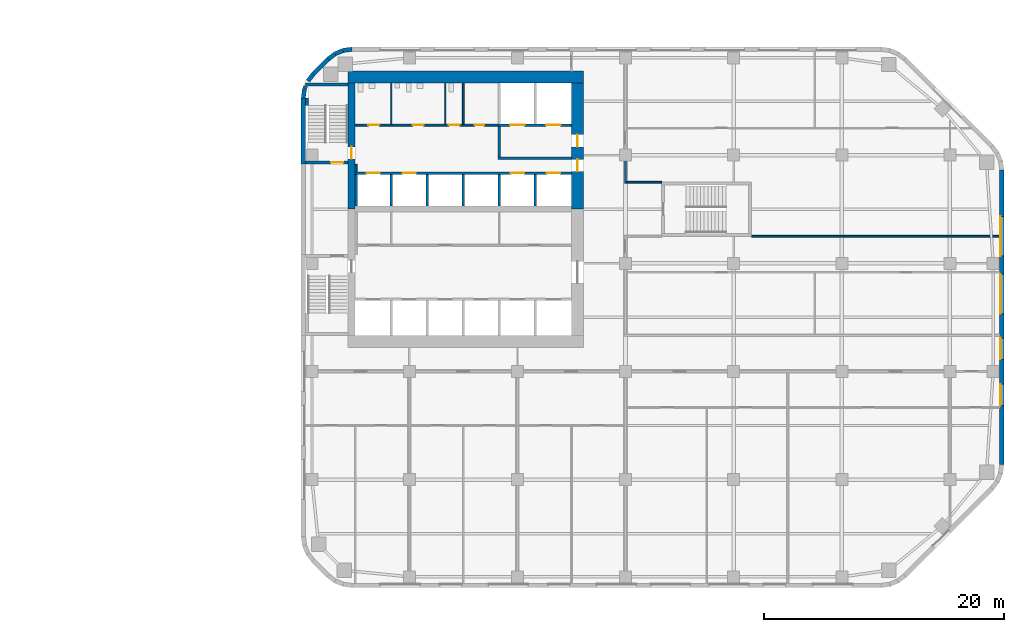
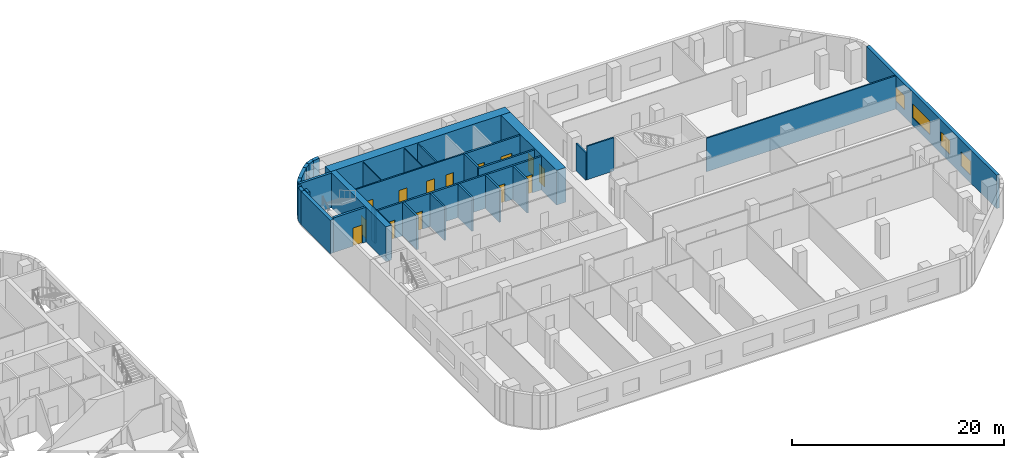
# One storey, part 11 of 16: 33 walls, 14 doors, 4 windows, 18 openings.
"""IFC4 building model written with IfcOpenShell, lengths in metres."""

from ifc_helpers import new_model, si_unit, direction, frame, frame_2d, origin, place, context, subcontext, project, spatial, rectangle, extrude, material, layer, layer_set, type_object, element, fill, save


model = new_model("IFC4")

# Units and contexts
model_context = context("Model", 3, precision=1e-05, world=origin(), true_north=direction((0.0, 1.0)))
body_context = subcontext(model_context, "Body", "Model", "MODEL_VIEW")
ifc_project = project(units=[si_unit("LENGTHUNIT", "METRE"), si_unit("AREAUNIT", "SQUARE_METRE"), si_unit("VOLUMEUNIT", "CUBIC_METRE"), si_unit("PLANEANGLEUNIT", "RADIAN"), si_unit("MASSUNIT", "GRAM", prefix="KILO")], contexts=[model_context])

# Site, building, storey
site_placement = place(None, origin())
site = spatial("IfcSite", under=ifc_project, at=site_placement, CompositionType="ELEMENT")
building_placement = place(site_placement, origin())
building = spatial("IfcBuilding", under=site, at=building_placement, Name="Cinnabar Reach Civic Tower", CompositionType="ELEMENT")
storey_placement = place(building_placement, frame((0.0, 0.0, 83.0)))
storey = spatial("IfcBuildingStorey", under=building, at=storey_placement, Name="L19", CompositionType="ELEMENT", Elevation=83.0)

# Walls
ifc_material_1 = material(Name="Facing brick with insulated backing", Category="masonry")
ifc_layer_1 = layer(ifc_material_1, 0.36)
ifc_layer_set_1 = layer_set([ifc_layer_1], Name="Brick corner wall")
wall_type_1 = type_object("IfcWallType", Name="Brick corner wall", PredefinedType="STANDARD", material=ifc_layer_set_1)
for number, where, z_axis, x_axis, name in (
    (1, (4.2314, 44.817, 0.0), (0.0, 0.0, 1.0), (-0.99144092581, -0.13055608231, 0.0), "Brick corner wall"),
    (2, (3.5027, 44.7181, 0.0), (0.0, 0.0, 1.0), (-0.923871547278, -0.382702709855, 0.0), "Brick corner wall"),
):
    element("IfcWall", number, at=place(storey_placement, frame(where, z_axis=z_axis, x_axis=x_axis)), inside=storey, type_object=wall_type_1, Name=name, PredefinedType="STANDARD", context=body_context, shape_type="SweptSolid", body=[
        extrude(rectangle(XDim=0.7131, YDim=0.36, at=frame_2d((0.3565, 0.0))), origin(), (0.0, 0.0, 1.0), 3.85),
    ])
for number, where, z_axis, x_axis, name in (
    (3, (2.8245, 44.434, 0.0), (0.0, 0.0, 1.0), (-0.793321924995, -0.608802368033, 0.0), "Brick corner wall"),
    (4, (1.0002, 42.7413, 0.0), (0.0, 0.0, 1.0), (-0.608802368033, -0.793321924995, 0.0), "Brick corner wall"),
):
    element("IfcWall", number, at=place(storey_placement, frame(where, z_axis=z_axis, x_axis=x_axis)), inside=storey, type_object=wall_type_1, Name=name, PredefinedType="STANDARD", context=body_context, shape_type="SweptSolid", body=[
        extrude(rectangle(XDim=0.7132, YDim=0.36, at=frame_2d((0.3566, 0.0))), origin(), (0.0, 0.0, 1.0), 3.85),
    ])
wall_1_placement = place(storey_placement, frame((0.3808, 41.736, 0.0), z_axis=(0.0, 0.0, 1.0), x_axis=(-0.382773360986, -0.923842277729, 0.0)))
element("IfcWall", 5, at=wall_1_placement, inside=storey, type_object=wall_type_1, Name="Brick corner wall", PredefinedType="STANDARD", context=body_context, shape_type="SweptSolid", body=[
    extrude(rectangle(XDim=0.2584, YDim=0.36, at=frame_2d((0.1292, 0.0))), origin(), (0.0, 0.0, 1.0), 3.85),
])
wall_2_placement = place(storey_placement, frame((0.2761, 41.4756, 0.0), z_axis=(0.0, 0.0, 1.0), x_axis=(-0.13055608231, -0.99144092581, 0.0)))
element("IfcWall", 6, at=wall_2_placement, inside=storey, type_object=wall_type_1, Name="Brick corner wall", PredefinedType="STANDARD", context=body_context, shape_type="SweptSolid", body=[
    extrude(rectangle(XDim=0.7131, YDim=0.36, at=frame_2d((0.3565, 0.0))), origin(), (0.0, 0.0, 1.0), 3.85),
])

# Wall, openings, windows
ifc_layer_2 = layer(ifc_material_1, 0.36)
ifc_layer_set_2 = layer_set([ifc_layer_2], Name="Brick pier and spandrel wall")
wall_type_2 = type_object("IfcWallType", Name="Brick pier and spandrel wall", PredefinedType="STANDARD", material=ifc_layer_set_2)
wall_3_placement = place(storey_placement, frame((58.32, 10.2426, 0.0), z_axis=(0.0, 0.0, 1.0), x_axis=(0.0, 1.0, 0.0)))
wall_3 = element("IfcWall", 7, at=wall_3_placement, inside=storey, type_object=wall_type_2, Name="Brick facade wall", PredefinedType="STANDARD", context=body_context, shape_type="SweptSolid", body=[
    extrude(rectangle(XDim=24.5148, YDim=0.36, at=frame_2d((12.2574, 0.0))), origin(), (0.0, 0.0, 1.0), 3.85),
])
opening_1_placement = place(wall_3_placement, frame((4.9074, 0.0, 0.9)))
opening_1 = element("IfcOpeningElement", 8, at=opening_1_placement, cuts=wall_3, Name="Opening W1385", PredefinedType="OPENING", context=body_context, shape_type="SweptSolid", body=[
    extrude(rectangle(XDim=1.8, YDim=1.6, at=frame_2d((0.9, 0.8))), frame((0.0, 0.19, 0.0), z_axis=(0.0, -1.0, 0.0), x_axis=(1.0, 0.0, 0.0)), (0.0, 0.0, 1.0), 0.38),
])
opening_2_placement = place(wall_3_placement, frame((8.7574, 0.0, 0.9)))
opening_2 = element("IfcOpeningElement", 9, at=opening_2_placement, cuts=wall_3, Name="Opening W1386", PredefinedType="OPENING", context=body_context, shape_type="SweptSolid", body=[
    extrude(rectangle(XDim=1.8, YDim=1.6, at=frame_2d((0.9, 0.8))), frame((0.0, 0.19, 0.0), z_axis=(0.0, -1.0, 0.0), x_axis=(1.0, 0.0, 0.0)), (0.0, 0.0, 1.0), 0.38),
])
opening_3_placement = place(wall_3_placement, frame((12.5574, 0.0, 0.9)))
opening_3 = element("IfcOpeningElement", 10, at=opening_3_placement, cuts=wall_3, Name="Opening W1387", PredefinedType="OPENING", context=body_context, shape_type="SweptSolid", body=[
    extrude(rectangle(XDim=3.3, YDim=1.6, at=frame_2d((1.65, 0.8))), frame((0.0, 0.19, 0.0), z_axis=(0.0, -1.0, 0.0), x_axis=(1.0, 0.0, 0.0)), (0.0, 0.0, 1.0), 0.38),
])
opening_4_placement = place(wall_3_placement, frame((17.3574, 0.0, 0.9)))
opening_4 = element("IfcOpeningElement", 11, at=opening_4_placement, cuts=wall_3, Name="Opening W1388", PredefinedType="OPENING", context=body_context, shape_type="SweptSolid", body=[
    extrude(rectangle(XDim=3.3, YDim=1.6, at=frame_2d((1.65, 0.8))), frame((0.0, 0.19, 0.0), z_axis=(0.0, -1.0, 0.0), x_axis=(1.0, 0.0, 0.0)), (0.0, 0.0, 1.0), 0.38),
])
ifc_material_2 = material(Name="Clear double glazing in aluminium frame", Category="aluminium")
window_type_1 = type_object("IfcWindowType", Name="Deep-set window A", PartitioningType="SINGLE_PANEL", PredefinedType="WINDOW", material=ifc_material_2)
window_1_placement = place(opening_3_placement, origin())
window_1 = element("IfcWindow", 12, at=window_1_placement, inside=storey, type_object=window_type_1, Name="Window east face", OverallHeight=1.6, OverallWidth=3.3, PartitioningType="SINGLE_PANEL", PredefinedType="WINDOW", context=body_context, shape_type="SweptSolid", body=[
    extrude(rectangle(XDim=3.3, YDim=1.6, at=frame_2d((1.65, 0.8))), frame((0.0, 0.13, 0.0), z_axis=(0.0, -1.0, 0.0), x_axis=(1.0, 0.0, 0.0)), (0.0, 0.0, 1.0), 0.06),
])
fill(opening_3, window_1)
window_2_placement = place(opening_4_placement, origin())
window_2 = element("IfcWindow", 13, at=window_2_placement, inside=storey, type_object=window_type_1, Name="Window east face", OverallHeight=1.6, OverallWidth=3.3, PartitioningType="SINGLE_PANEL", PredefinedType="WINDOW", context=body_context, shape_type="SweptSolid", body=[
    extrude(rectangle(XDim=3.3, YDim=1.6, at=frame_2d((1.65, 0.8))), frame((0.0, 0.13, 0.0), z_axis=(0.0, -1.0, 0.0), x_axis=(1.0, 0.0, 0.0)), (0.0, 0.0, 1.0), 0.06),
])
fill(opening_4, window_2)
window_type_2 = type_object("IfcWindowType", Name="Deep-set window D", PartitioningType="SINGLE_PANEL", PredefinedType="WINDOW", material=ifc_material_2)
window_3_placement = place(opening_1_placement, origin())
window_3 = element("IfcWindow", 14, at=window_3_placement, inside=storey, type_object=window_type_2, Name="Window east face", OverallHeight=1.6, OverallWidth=1.8, PartitioningType="SINGLE_PANEL", PredefinedType="WINDOW", context=body_context, shape_type="SweptSolid", body=[
    extrude(rectangle(XDim=1.8, YDim=1.6, at=frame_2d((0.9, 0.8))), frame((0.0, 0.13, 0.0), z_axis=(0.0, -1.0, 0.0), x_axis=(1.0, 0.0, 0.0)), (0.0, 0.0, 1.0), 0.06),
])
fill(opening_1, window_3)
window_4_placement = place(opening_2_placement, origin())
window_4 = element("IfcWindow", 15, at=window_4_placement, inside=storey, type_object=window_type_2, Name="Window east face", OverallHeight=1.6, OverallWidth=1.8, PartitioningType="SINGLE_PANEL", PredefinedType="WINDOW", context=body_context, shape_type="SweptSolid", body=[
    extrude(rectangle(XDim=1.8, YDim=1.6, at=frame_2d((0.9, 0.8))), frame((0.0, 0.13, 0.0), z_axis=(0.0, -1.0, 0.0), x_axis=(1.0, 0.0, 0.0)), (0.0, 0.0, 1.0), 0.06),
])
fill(opening_2, window_4)

# Walls
wall_4_placement = place(storey_placement, frame((2.2486, 43.994, 0.0), z_axis=(0.0, 0.0, 1.0), x_axis=(-0.707106781187, -0.707106781187, 0.0)))
element("IfcWall", 16, at=wall_4_placement, inside=storey, type_object=wall_type_2, Name="Brick facade wall", PredefinedType="STANDARD", context=body_context, shape_type="SweptSolid", body=[
    extrude(rectangle(XDim=1.7573, YDim=0.36, at=frame_2d((0.8787, 0.0))), origin(), (0.0, 0.0, 1.0), 3.85),
])
wall_5_placement = place(storey_placement, frame((0.18, 40.7574, 0.0), z_axis=(0.0, 0.0, 1.0), x_axis=(0.0, -1.0, 0.0)))
element("IfcWall", 17, at=wall_5_placement, inside=storey, type_object=wall_type_2, Name="Brick facade wall", PredefinedType="STANDARD", context=body_context, shape_type="SweptSolid", body=[
    extrude(rectangle(XDim=5.5074, YDim=0.36, at=frame_2d((2.7537, 0.0))), origin(), (0.0, 0.0, 1.0), 3.85),
])
ifc_material_3 = material(Name="Concrete C70", Category="concrete")
ifc_layer_3 = layer(ifc_material_3, 1.0)
ifc_layer_set_3 = layer_set([ifc_layer_3], Name="Core wall 1000 EI 180")
wall_type_3 = type_object("IfcWallType", Name="Core wall 1000 EI 180", PredefinedType="SOLIDWALL", material=ifc_layer_set_3)
wall_6_placement = place(storey_placement, frame((23.5, 42.5, 0.0), z_axis=(0.0, 0.0, 1.0), x_axis=(-1.0, 0.0, 0.0)))
element("IfcWall", 18, at=wall_6_placement, inside=storey, type_object=wall_type_3, Name="Core wall T1 L19 N", PredefinedType="SOLIDWALL", context=body_context, shape_type="SweptSolid", body=[
    extrude(rectangle(XDim=19.6, YDim=1.0, at=frame_2d((9.8, 0.0))), origin(), (0.0, 0.0, 1.0), 4.0),
])

# Wall, openings, doors
wall_7_placement = place(storey_placement, frame((23.0, 31.5, 0.0), z_axis=(0.0, 0.0, 1.0), x_axis=(0.0, 1.0, 0.0)))
wall_7 = element("IfcWall", 19, at=wall_7_placement, inside=storey, type_object=wall_type_3, Name="Core wall T1 L19 E2", PredefinedType="SOLIDWALL", context=body_context, shape_type="SweptSolid", body=[
    extrude(rectangle(XDim=10.5, YDim=1.0, at=frame_2d((5.25, 0.0))), origin(), (0.0, 0.0, 1.0), 4.0),
])
opening_5_placement = place(wall_7_placement, frame((3.15, 0.0, 0.0)))
opening_5 = element("IfcOpeningElement", 20, at=opening_5_placement, cuts=wall_7, Name="Opening D3769", PredefinedType="OPENING", context=body_context, shape_type="SweptSolid", body=[
    extrude(rectangle(XDim=1.0, YDim=2.1, at=frame_2d((0.5, 1.05))), frame((0.0, 0.51, 0.0), z_axis=(0.0, -1.0, 0.0), x_axis=(1.0, 0.0, 0.0)), (0.0, 0.0, 1.0), 1.02),
])
opening_6_placement = place(wall_7_placement, frame((5.2, 0.0, 0.0)))
opening_6 = element("IfcOpeningElement", 21, at=opening_6_placement, cuts=wall_7, Name="Opening D3770", PredefinedType="OPENING", context=body_context, shape_type="SweptSolid", body=[
    extrude(rectangle(XDim=1.0, YDim=2.1, at=frame_2d((0.5, 1.05))), frame((0.0, 0.51, 0.0), z_axis=(0.0, -1.0, 0.0), x_axis=(1.0, 0.0, 0.0)), (0.0, 0.0, 1.0), 1.02),
])
ifc_material_4 = material(Name="Timber door leaf in steel frame", Category="steel")
door_type_1 = type_object("IfcDoorType", Name="Firefighting lobby door 1000 x 2100 T1", OperationType="SINGLE_SWING_LEFT", PredefinedType="DOOR", material=ifc_material_4)
door_1_placement = place(opening_6_placement, origin())
door_1 = element("IfcDoor", 22, at=door_1_placement, inside=storey, type_object=door_type_1, Name="Door D3770", OperationType="SINGLE_SWING_RIGHT", OverallHeight=2.1, OverallWidth=1.0, PredefinedType="DOOR", context=body_context, shape_type="SweptSolid", body=[
    extrude(rectangle(XDim=1.0, YDim=2.1, at=frame_2d((0.5, 1.05))), frame((0.0, 0.025, 0.0), z_axis=(0.0, -1.0, 0.0), x_axis=(1.0, 0.0, 0.0)), (0.0, 0.0, 1.0), 0.05),
])
fill(opening_6, door_1)
door_type_2 = type_object("IfcDoorType", Name="Single swing door 1000 x 2100 T1", OperationType="SINGLE_SWING_LEFT", PredefinedType="DOOR", material=ifc_material_4)
door_2_placement = place(opening_5_placement, origin())
door_2 = element("IfcDoor", 23, at=door_2_placement, inside=storey, type_object=door_type_2, Name="Door D3769", OperationType="SINGLE_SWING_RIGHT", OverallHeight=2.1, OverallWidth=1.0, PredefinedType="DOOR", context=body_context, shape_type="SweptSolid", body=[
    extrude(rectangle(XDim=1.0, YDim=2.1, at=frame_2d((0.5, 1.05))), frame((0.0, 0.025, 0.0), z_axis=(0.0, -1.0, 0.0), x_axis=(1.0, 0.0, 0.0)), (0.0, 0.0, 1.0), 0.05),
])
fill(opening_5, door_2)

# Wall, opening, door
ifc_layer_4 = layer(ifc_material_3, 0.6)
ifc_layer_set_4 = layer_set([ifc_layer_4], Name="Core wall 600 EI 180")
wall_type_4 = type_object("IfcWallType", Name="Core wall 600 EI 180", PredefinedType="SOLIDWALL", material=ifc_layer_set_4)
wall_8_placement = place(storey_placement, frame((4.2, 42.0, 0.0), z_axis=(0.0, 0.0, 1.0), x_axis=(0.0, -1.0, 0.0)))
wall_8 = element("IfcWall", 24, at=wall_8_placement, inside=storey, type_object=wall_type_4, Name="Core wall T1 L19 W", PredefinedType="SOLIDWALL", context=body_context, shape_type="SweptSolid", body=[
    extrude(rectangle(XDim=10.5, YDim=0.6, at=frame_2d((5.25, 0.0))), origin(), (0.0, 0.0, 1.0), 4.0),
])
opening_7_placement = place(wall_8_placement, frame((5.3, 0.0, 0.0)))
opening_7 = element("IfcOpeningElement", 25, at=opening_7_placement, cuts=wall_8, Name="Opening D3754", PredefinedType="OPENING", context=body_context, shape_type="SweptSolid", body=[
    extrude(rectangle(XDim=1.0, YDim=2.1, at=frame_2d((0.5, 1.05))), frame((0.0, 0.31, 0.0), z_axis=(0.0, -1.0, 0.0), x_axis=(1.0, 0.0, 0.0)), (0.0, 0.0, 1.0), 0.62),
])
door_type_3 = type_object("IfcDoorType", Name="Stair door 1000 x 2100 T1", OperationType="SINGLE_SWING_LEFT", PredefinedType="DOOR", material=ifc_material_4)
door_3_placement = place(opening_7_placement, frame((1.0, 0.0, 0.0), z_axis=(0.0, 0.0, 1.0), x_axis=(-1.0, 0.0, 0.0)))
door_3 = element("IfcDoor", 26, at=door_3_placement, inside=storey, type_object=door_type_3, Name="Door D3754", OperationType="SINGLE_SWING_LEFT", OverallHeight=2.1, OverallWidth=1.0, PredefinedType="DOOR", context=body_context, shape_type="SweptSolid", body=[
    extrude(rectangle(XDim=1.0, YDim=2.1, at=frame_2d((0.5, 1.05))), frame((0.0, 0.025, 0.0), z_axis=(0.0, -1.0, 0.0), x_axis=(1.0, 0.0, 0.0)), (0.0, 0.0, 1.0), 0.05),
])
fill(opening_7, door_3)

# Wall, openings, doors
ifc_material_5 = material(Name="Gypsum board on steel studs, double layer", Category="steel")
ifc_layer_5 = layer(ifc_material_5, 0.15)
ifc_layer_set_5 = layer_set([ifc_layer_5], Name="Corridor wall 150 T1")
wall_type_5 = type_object("IfcWallType", Name="Corridor wall 150 T1", PredefinedType="PARTITIONING", material=ifc_layer_set_5)
wall_9_placement = place(storey_placement, frame((4.5, 38.5, 0.0), z_axis=(0.0, 0.0, 1.0), x_axis=(1.0, 0.0, 0.0)))
wall_9 = element("IfcWall", 27, at=wall_9_placement, inside=storey, type_object=wall_type_5, Name="Corridor wall 28", PredefinedType="PARTITIONING", context=body_context, shape_type="SweptSolid", body=[
    extrude(rectangle(XDim=11.9, YDim=0.15, at=frame_2d((5.95, 0.0))), origin(), (0.0, 0.0, 1.0), 3.85),
])
opening_8_placement = place(wall_9_placement, frame((1.1, 0.0, 0.0)))
opening_8 = element("IfcOpeningElement", 28, at=opening_8_placement, cuts=wall_9, Name="Opening D3775", PredefinedType="OPENING", context=body_context, shape_type="SweptSolid", body=[
    extrude(rectangle(XDim=0.9, YDim=2.1, at=frame_2d((0.45, 1.05))), frame((0.0, 0.085, 0.0), z_axis=(0.0, -1.0, 0.0), x_axis=(1.0, 0.0, 0.0)), (0.0, 0.0, 1.0), 0.17),
])
opening_9_placement = place(wall_9_placement, frame((4.8, 0.0, 0.0)))
opening_9 = element("IfcOpeningElement", 29, at=opening_9_placement, cuts=wall_9, Name="Opening D3776", PredefinedType="OPENING", context=body_context, shape_type="SweptSolid", body=[
    extrude(rectangle(XDim=0.9, YDim=2.1, at=frame_2d((0.45, 1.05))), frame((0.0, 0.085, 0.0), z_axis=(0.0, -1.0, 0.0), x_axis=(1.0, 0.0, 0.0)), (0.0, 0.0, 1.0), 0.17),
])
opening_10_placement = place(wall_9_placement, frame((7.8, 0.0, 0.0)))
opening_10 = element("IfcOpeningElement", 30, at=opening_10_placement, cuts=wall_9, Name="Opening D3777", PredefinedType="OPENING", context=body_context, shape_type="SweptSolid", body=[
    extrude(rectangle(XDim=0.9, YDim=2.1, at=frame_2d((0.45, 1.05))), frame((0.0, 0.085, 0.0), z_axis=(0.0, -1.0, 0.0), x_axis=(1.0, 0.0, 0.0)), (0.0, 0.0, 1.0), 0.17),
])
opening_11_placement = place(wall_9_placement, frame((9.95, 0.0, 0.0)))
opening_11 = element("IfcOpeningElement", 31, at=opening_11_placement, cuts=wall_9, Name="Opening D3778", PredefinedType="OPENING", context=body_context, shape_type="SweptSolid", body=[
    extrude(rectangle(XDim=0.8, YDim=2.1, at=frame_2d((0.4, 1.05))), frame((0.0, 0.085, 0.0), z_axis=(0.0, -1.0, 0.0), x_axis=(1.0, 0.0, 0.0)), (0.0, 0.0, 1.0), 0.17),
])
door_type_4 = type_object("IfcDoorType", Name="Riser access door 800 x 2100 T1", OperationType="SINGLE_SWING_LEFT", PredefinedType="DOOR", material=ifc_material_4)
door_4_placement = place(opening_11_placement, origin())
door_4 = element("IfcDoor", 32, at=door_4_placement, inside=storey, type_object=door_type_4, Name="Door D3778", OperationType="SINGLE_SWING_LEFT", OverallHeight=2.1, OverallWidth=0.8, PredefinedType="DOOR", context=body_context, shape_type="SweptSolid", body=[
    extrude(rectangle(XDim=0.8, YDim=2.1, at=frame_2d((0.4, 1.05))), frame((0.0, 0.025, 0.0), z_axis=(0.0, -1.0, 0.0), x_axis=(1.0, 0.0, 0.0)), (0.0, 0.0, 1.0), 0.05),
])
fill(opening_11, door_4)
door_type_5 = type_object("IfcDoorType", Name="Single swing door 900 x 2100 corridor T1", OperationType="SINGLE_SWING_LEFT", PredefinedType="DOOR", material=ifc_material_4)
door_5_placement = place(opening_8_placement, origin())
door_5 = element("IfcDoor", 33, at=door_5_placement, inside=storey, type_object=door_type_5, Name="Door D3775", OperationType="SINGLE_SWING_RIGHT", OverallHeight=2.1, OverallWidth=0.9, PredefinedType="DOOR", context=body_context, shape_type="SweptSolid", body=[
    extrude(rectangle(XDim=0.9, YDim=2.1, at=frame_2d((0.45, 1.05))), frame((0.0, 0.025, 0.0), z_axis=(0.0, -1.0, 0.0), x_axis=(1.0, 0.0, 0.0)), (0.0, 0.0, 1.0), 0.05),
])
fill(opening_8, door_5)
door_6_placement = place(opening_9_placement, origin())
door_6 = element("IfcDoor", 34, at=door_6_placement, inside=storey, type_object=door_type_5, Name="Door D3776", OperationType="SINGLE_SWING_LEFT", OverallHeight=2.1, OverallWidth=0.9, PredefinedType="DOOR", context=body_context, shape_type="SweptSolid", body=[
    extrude(rectangle(XDim=0.9, YDim=2.1, at=frame_2d((0.45, 1.05))), frame((0.0, 0.025, 0.0), z_axis=(0.0, -1.0, 0.0), x_axis=(1.0, 0.0, 0.0)), (0.0, 0.0, 1.0), 0.05),
])
fill(opening_9, door_6)
door_7_placement = place(opening_10_placement, origin())
door_7 = element("IfcDoor", 35, at=door_7_placement, inside=storey, type_object=door_type_5, Name="Door D3777", OperationType="SINGLE_SWING_RIGHT", OverallHeight=2.1, OverallWidth=0.9, PredefinedType="DOOR", context=body_context, shape_type="SweptSolid", body=[
    extrude(rectangle(XDim=0.9, YDim=2.1, at=frame_2d((0.45, 1.05))), frame((0.0, 0.025, 0.0), z_axis=(0.0, -1.0, 0.0), x_axis=(1.0, 0.0, 0.0)), (0.0, 0.0, 1.0), 0.05),
])
fill(opening_10, door_7)

# Walls
wall_10_placement = place(storey_placement, frame((27.0, 33.675, 0.0), z_axis=(0.0, 0.0, 1.0), x_axis=(0.0, 1.0, 0.0)))
element("IfcWall", 36, at=wall_10_placement, inside=storey, type_object=wall_type_5, Name="Corridor wall 29", PredefinedType="PARTITIONING", context=body_context, shape_type="SweptSolid", body=[
    extrude(rectangle(XDim=1.825, YDim=0.15, at=frame_2d((0.9125, 0.0))), origin(), (0.0, 0.0, 1.0), 3.158),
])
wall_11_placement = place(storey_placement, frame((27.075, 33.75, 0.0), z_axis=(0.0, 0.0, 1.0), x_axis=(1.0, 0.0, 0.0)))
element("IfcWall", 37, at=wall_11_placement, inside=storey, type_object=wall_type_5, Name="Corridor wall 36", PredefinedType="PARTITIONING", context=body_context, shape_type="SweptSolid", body=[
    extrude(rectangle(XDim=2.925, YDim=0.15, at=frame_2d((1.4625, 0.0))), origin(), (0.0, 0.0, 1.0), 3.85),
])
wall_12_placement = place(storey_placement, frame((4.575, 34.6, 0.0), z_axis=(0.0, 0.0, 1.0), x_axis=(0.0, 1.0, 0.0)))
element("IfcWall", 38, at=wall_12_placement, inside=storey, type_object=wall_type_5, Name="Corridor wall 38", PredefinedType="PARTITIONING", context=body_context, shape_type="SweptSolid", body=[
    extrude(rectangle(XDim=0.65, YDim=0.15, at=frame_2d((0.325, 0.0))), origin(), (0.0, 0.0, 1.0), 3.85),
])

# Wall, openings, doors
ifc_material_6 = material(Name="Blockwork", Category="masonry")
ifc_layer_6 = layer(ifc_material_6, 0.2)
ifc_layer_set_6 = layer_set([ifc_layer_6], Name="Lift shaft wall 200 T1")
wall_type_6 = type_object("IfcWallType", Name="Lift shaft wall 200 T1", PredefinedType="PARTITIONING", material=ifc_layer_set_6)
wall_13_placement = place(storey_placement, frame((4.5, 34.5, 0.0), z_axis=(0.0, 0.0, 1.0), x_axis=(1.0, 0.0, 0.0)))
wall_13 = element("IfcWall", 39, at=wall_13_placement, inside=storey, type_object=wall_type_6, Name="Lift shaft wall 5", PredefinedType="PARTITIONING", context=body_context, shape_type="SweptSolid", body=[
    extrude(rectangle(XDim=18.0, YDim=0.2, at=frame_2d((9.0, 0.0))), origin(), (0.0, 0.0, 1.0), 3.85),
])
opening_12_placement = place(wall_13_placement, frame((0.95, 0.0, 0.0)))
opening_12 = element("IfcOpeningElement", 40, at=opening_12_placement, cuts=wall_13, Name="Opening D3762", PredefinedType="OPENING", context=body_context, shape_type="SweptSolid", body=[
    extrude(rectangle(XDim=1.1, YDim=2.1, at=frame_2d((0.55, 1.05))), frame((0.0, 0.11, 0.0), z_axis=(0.0, -1.0, 0.0), x_axis=(1.0, 0.0, 0.0)), (0.0, 0.0, 1.0), 0.22),
])
opening_13_placement = place(wall_13_placement, frame((3.95, 0.0, 0.0)))
opening_13 = element("IfcOpeningElement", 41, at=opening_13_placement, cuts=wall_13, Name="Opening D3763", PredefinedType="OPENING", context=body_context, shape_type="SweptSolid", body=[
    extrude(rectangle(XDim=1.1, YDim=2.1, at=frame_2d((0.55, 1.05))), frame((0.0, 0.11, 0.0), z_axis=(0.0, -1.0, 0.0), x_axis=(1.0, 0.0, 0.0)), (0.0, 0.0, 1.0), 0.22),
])
opening_14_placement = place(wall_13_placement, frame((12.95, 0.0, 0.0)))
opening_14 = element("IfcOpeningElement", 42, at=opening_14_placement, cuts=wall_13, Name="Opening D3764", PredefinedType="OPENING", context=body_context, shape_type="SweptSolid", body=[
    extrude(rectangle(XDim=1.1, YDim=2.1, at=frame_2d((0.55, 1.05))), frame((0.0, 0.11, 0.0), z_axis=(0.0, -1.0, 0.0), x_axis=(1.0, 0.0, 0.0)), (0.0, 0.0, 1.0), 0.22),
])
opening_15_placement = place(wall_13_placement, frame((15.95, 0.0, 0.0)))
opening_15 = element("IfcOpeningElement", 43, at=opening_15_placement, cuts=wall_13, Name="Opening D3765", PredefinedType="OPENING", context=body_context, shape_type="SweptSolid", body=[
    extrude(rectangle(XDim=1.1, YDim=2.1, at=frame_2d((0.55, 1.05))), frame((0.0, 0.11, 0.0), z_axis=(0.0, -1.0, 0.0), x_axis=(1.0, 0.0, 0.0)), (0.0, 0.0, 1.0), 0.22),
])
ifc_material_7 = material(Name="Stainless steel sliding door", Category="steel")
door_type_6 = type_object("IfcDoorType", Name="Lift landing door 1100 x 2100 T1", OperationType="SLIDING_TO_LEFT", PredefinedType="DOOR", material=ifc_material_7)
door_8_placement = place(opening_12_placement, origin())
door_8 = element("IfcDoor", 44, at=door_8_placement, inside=storey, type_object=door_type_6, Name="Lift landing door SH1 L19", OperationType="SLIDING_TO_LEFT", OverallHeight=2.1, OverallWidth=1.1, PredefinedType="DOOR", context=body_context, shape_type="SweptSolid", body=[
    extrude(rectangle(XDim=1.1, YDim=2.1, at=frame_2d((0.55, 1.05))), frame((0.0, 0.025, 0.0), z_axis=(0.0, -1.0, 0.0), x_axis=(1.0, 0.0, 0.0)), (0.0, 0.0, 1.0), 0.05),
])
fill(opening_12, door_8)
door_9_placement = place(opening_13_placement, origin())
door_9 = element("IfcDoor", 45, at=door_9_placement, inside=storey, type_object=door_type_6, Name="Lift landing door SH2 L19", OperationType="SLIDING_TO_LEFT", OverallHeight=2.1, OverallWidth=1.1, PredefinedType="DOOR", context=body_context, shape_type="SweptSolid", body=[
    extrude(rectangle(XDim=1.1, YDim=2.1, at=frame_2d((0.55, 1.05))), frame((0.0, 0.025, 0.0), z_axis=(0.0, -1.0, 0.0), x_axis=(1.0, 0.0, 0.0)), (0.0, 0.0, 1.0), 0.05),
])
fill(opening_13, door_9)
door_10_placement = place(opening_14_placement, origin())
door_10 = element("IfcDoor", 46, at=door_10_placement, inside=storey, type_object=door_type_6, Name="Lift landing door SV1 L19", OperationType="SLIDING_TO_LEFT", OverallHeight=2.1, OverallWidth=1.1, PredefinedType="DOOR", context=body_context, shape_type="SweptSolid", body=[
    extrude(rectangle(XDim=1.1, YDim=2.1, at=frame_2d((0.55, 1.05))), frame((0.0, 0.025, 0.0), z_axis=(0.0, -1.0, 0.0), x_axis=(1.0, 0.0, 0.0)), (0.0, 0.0, 1.0), 0.05),
])
fill(opening_14, door_10)
door_11_placement = place(opening_15_placement, origin())
door_11 = element("IfcDoor", 47, at=door_11_placement, inside=storey, type_object=door_type_6, Name="Lift landing door SV2 L19", OperationType="SLIDING_TO_LEFT", OverallHeight=2.1, OverallWidth=1.1, PredefinedType="DOOR", context=body_context, shape_type="SweptSolid", body=[
    extrude(rectangle(XDim=1.1, YDim=2.1, at=frame_2d((0.55, 1.05))), frame((0.0, 0.025, 0.0), z_axis=(0.0, -1.0, 0.0), x_axis=(1.0, 0.0, 0.0)), (0.0, 0.0, 1.0), 0.05),
])
fill(opening_15, door_11)

# Walls
for number, where, z_axis, x_axis, name in (
    (48, (4.6, 31.75, 0.0), (0.0, 0.0, 1.0), (0.0, 1.0, 0.0), "Lift shaft wall 8"),
    (49, (7.5, 31.75, 0.0), (0.0, 0.0, 1.0), (0.0, 1.0, 0.0), "Lift shaft wall 10"),
    (50, (10.5, 31.75, 0.0), (0.0, 0.0, 1.0), (0.0, 1.0, 0.0), "Lift shaft wall 12"),
    (51, (13.5, 31.75, 0.0), (0.0, 0.0, 1.0), (0.0, 1.0, 0.0), "Lift shaft wall 14"),
    (52, (16.5, 31.75, 0.0), (0.0, 0.0, 1.0), (0.0, 1.0, 0.0), "Lift shaft wall 16"),
    (53, (19.5, 31.75, 0.0), (0.0, 0.0, 1.0), (0.0, 1.0, 0.0), "Lift shaft wall 18"),
):
    element("IfcWall", number, at=place(storey_placement, frame(where, z_axis=z_axis, x_axis=x_axis)), inside=storey, type_object=wall_type_6, Name=name, PredefinedType="PARTITIONING", context=body_context, shape_type="SweptSolid", body=[
        extrude(rectangle(XDim=2.65, YDim=0.2, at=frame_2d((1.325, 0.0))), origin(), (0.0, 0.0, 1.0), 3.85),
    ])
ifc_material_8 = material(Name="Gypsum board on steel studs", Category="steel")
ifc_layer_7 = layer(ifc_material_8, 0.1)
ifc_layer_set_7 = layer_set([ifc_layer_7], Name="Partition wall 100 T1")
wall_type_7 = type_object("IfcWallType", Name="Partition wall 100 T1", PredefinedType="PARTITIONING", material=ifc_layer_set_7)
for number, where, z_axis, x_axis, name in (
    (54, (7.5, 38.575, 0.0), (0.0, 0.0, 1.0), (0.0, 1.0, 0.0), "Partition wall 64"),
    (55, (12.0, 38.575, 0.0), (0.0, 0.0, 1.0), (0.0, 1.0, 0.0), "Partition wall 65"),
):
    element("IfcWall", number, at=place(storey_placement, frame(where, z_axis=z_axis, x_axis=x_axis)), inside=storey, type_object=wall_type_7, Name=name, PredefinedType="PARTITIONING", context=body_context, shape_type="SweptSolid", body=[
        extrude(rectangle(XDim=3.425, YDim=0.1, at=frame_2d((1.7125, 0.0))), origin(), (0.0, 0.0, 1.0), 3.85),
    ])
ifc_material_9 = material(Name="Concrete C40", Category="concrete")
ifc_layer_8 = layer(ifc_material_9, 0.2)
ifc_layer_set_8 = layer_set([ifc_layer_8], Name="Refuge compartment wall 200 T1")
wall_type_8 = type_object("IfcWallType", Name="Refuge compartment wall 200 T1", PredefinedType="PARTITIONING", material=ifc_layer_set_8)
wall_14_placement = place(storey_placement, frame((16.4, 35.75, 0.0), z_axis=(0.0, 0.0, 1.0), x_axis=(1.0, 0.0, 0.0)))
element("IfcWall", 56, at=wall_14_placement, inside=storey, type_object=wall_type_8, Name="Refuge compartment wall 1", PredefinedType="PARTITIONING", context=body_context, shape_type="SweptSolid", body=[
    extrude(rectangle(XDim=6.1, YDim=0.2, at=frame_2d((3.05, 0.0))), origin(), (0.0, 0.0, 1.0), 3.85),
])

# Wall, openings, doors
wall_15_placement = place(storey_placement, frame((16.4, 38.5, 0.0), z_axis=(0.0, 0.0, 1.0), x_axis=(1.0, 0.0, 0.0)))
wall_15 = element("IfcWall", 57, at=wall_15_placement, inside=storey, type_object=wall_type_8, Name="Refuge compartment wall 2", PredefinedType="PARTITIONING", context=body_context, shape_type="SweptSolid", body=[
    extrude(rectangle(XDim=6.1, YDim=0.2, at=frame_2d((3.05, 0.0))), origin(), (0.0, 0.0, 1.0), 3.85),
])
opening_16_placement = place(wall_15_placement, frame((1.0, 0.0, 0.0)))
opening_16 = element("IfcOpeningElement", 58, at=opening_16_placement, cuts=wall_15, Name="Opening D3766", PredefinedType="OPENING", context=body_context, shape_type="SweptSolid", body=[
    extrude(rectangle(XDim=1.2, YDim=2.1, at=frame_2d((0.6, 1.05))), frame((0.0, 0.11, 0.0), z_axis=(0.0, -1.0, 0.0), x_axis=(1.0, 0.0, 0.0)), (0.0, 0.0, 1.0), 0.22),
])
opening_17_placement = place(wall_15_placement, frame((4.0, 0.0, 0.0)))
opening_17 = element("IfcOpeningElement", 59, at=opening_17_placement, cuts=wall_15, Name="Opening D3767", PredefinedType="OPENING", context=body_context, shape_type="SweptSolid", body=[
    extrude(rectangle(XDim=1.2, YDim=2.1, at=frame_2d((0.6, 1.05))), frame((0.0, 0.11, 0.0), z_axis=(0.0, -1.0, 0.0), x_axis=(1.0, 0.0, 0.0)), (0.0, 0.0, 1.0), 0.22),
])
door_type_7 = type_object("IfcDoorType", Name="Firefighting lift landing door 1200 x 2100 T1", OperationType="SLIDING_TO_LEFT", PredefinedType="DOOR", material=ifc_material_7)
door_12_placement = place(opening_16_placement, origin())
door_12 = element("IfcDoor", 60, at=door_12_placement, inside=storey, type_object=door_type_7, Name="Lift landing door FF1 L19", OperationType="SLIDING_TO_LEFT", OverallHeight=2.1, OverallWidth=1.2, PredefinedType="DOOR", context=body_context, shape_type="SweptSolid", body=[
    extrude(rectangle(XDim=1.2, YDim=2.1, at=frame_2d((0.6, 1.05))), frame((0.0, 0.025, 0.0), z_axis=(0.0, -1.0, 0.0), x_axis=(1.0, 0.0, 0.0)), (0.0, 0.0, 1.0), 0.05),
])
fill(opening_16, door_12)
door_13_placement = place(opening_17_placement, origin())
door_13 = element("IfcDoor", 61, at=door_13_placement, inside=storey, type_object=door_type_7, Name="Lift landing door FF2 L19", OperationType="SLIDING_TO_LEFT", OverallHeight=2.1, OverallWidth=1.2, PredefinedType="DOOR", context=body_context, shape_type="SweptSolid", body=[
    extrude(rectangle(XDim=1.2, YDim=2.1, at=frame_2d((0.6, 1.05))), frame((0.0, 0.025, 0.0), z_axis=(0.0, -1.0, 0.0), x_axis=(1.0, 0.0, 0.0)), (0.0, 0.0, 1.0), 0.05),
])
fill(opening_17, door_13)

# Walls
wall_16_placement = place(storey_placement, frame((16.5, 35.85, 0.0), z_axis=(0.0, 0.0, 1.0), x_axis=(0.0, 1.0, 0.0)))
element("IfcWall", 62, at=wall_16_placement, inside=storey, type_object=wall_type_8, Name="Refuge compartment wall 3", PredefinedType="PARTITIONING", context=body_context, shape_type="SweptSolid", body=[
    extrude(rectangle(XDim=2.55, YDim=0.2, at=frame_2d((1.275, 0.0))), origin(), (0.0, 0.0, 1.0), 3.85),
])
ifc_layer_9 = layer(ifc_material_6, 0.15)
ifc_layer_set_9 = layer_set([ifc_layer_9], Name="Riser wall 150 T1")
wall_type_9 = type_object("IfcWallType", Name="Riser wall 150 T1", PredefinedType="PARTITIONING", material=ifc_layer_set_9)
wall_17_placement = place(storey_placement, frame((13.5, 38.575, 0.0), z_axis=(0.0, 0.0, 1.0), x_axis=(0.0, 1.0, 0.0)))
element("IfcWall", 63, at=wall_17_placement, inside=storey, type_object=wall_type_9, Name="Riser wall 39", PredefinedType="PARTITIONING", context=body_context, shape_type="SweptSolid", body=[
    extrude(rectangle(XDim=3.425, YDim=0.15, at=frame_2d((1.7125, 0.0))), origin(), (0.0, 0.0, 1.0), 3.85),
])

# Wall, opening, door
ifc_material_10 = material(Name="Concrete C60", Category="concrete")
ifc_layer_10 = layer(ifc_material_10, 0.25)
ifc_layer_set_10 = layer_set([ifc_layer_10], Name="Stair shaft wall 250 EI 120")
wall_type_10 = type_object("IfcWallType", Name="Stair shaft wall 250 EI 120", PredefinedType="SOLIDWALL", material=ifc_layer_set_10)
wall_18_placement = place(storey_placement, frame((0.36, 35.375, 0.0), z_axis=(0.0, 0.0, 1.0), x_axis=(1.0, 0.0, 0.0)))
wall_18 = element("IfcWall", 64, at=wall_18_placement, inside=storey, type_object=wall_type_10, Name="Stair shaft wall T1-S2 L19", PredefinedType="SOLIDWALL", context=body_context, shape_type="SweptSolid", body=[
    extrude(rectangle(XDim=3.54, YDim=0.25, at=frame_2d((1.77, 0.0))), origin(), (0.0, 0.0, 1.0), 4.0),
])
opening_18_placement = place(wall_18_placement, frame((2.14, 0.0, 0.0)))
opening_18 = element("IfcOpeningElement", 65, at=opening_18_placement, cuts=wall_18, Name="Opening D3755", PredefinedType="OPENING", context=body_context, shape_type="SweptSolid", body=[
    extrude(rectangle(XDim=1.0, YDim=2.1, at=frame_2d((0.5, 1.05))), frame((0.0, 0.135, 0.0), z_axis=(0.0, -1.0, 0.0), x_axis=(1.0, 0.0, 0.0)), (0.0, 0.0, 1.0), 0.27),
])
door_14_placement = place(opening_18_placement, origin())
door_14 = element("IfcDoor", 66, at=door_14_placement, inside=storey, type_object=door_type_3, Name="Door D3755", OperationType="SINGLE_SWING_RIGHT", OverallHeight=2.1, OverallWidth=1.0, PredefinedType="DOOR", context=body_context, shape_type="SweptSolid", body=[
    extrude(rectangle(XDim=1.0, YDim=2.1, at=frame_2d((0.5, 1.05))), frame((0.0, 0.025, 0.0), z_axis=(0.0, -1.0, 0.0), x_axis=(1.0, 0.0, 0.0)), (0.0, 0.0, 1.0), 0.05),
])
fill(opening_18, door_14)

# Walls
wall_19_placement = place(storey_placement, frame((3.9, 41.875, 0.0), z_axis=(0.0, 0.0, 1.0), x_axis=(-1.0, 0.0, 0.0)))
element("IfcWall", 67, at=wall_19_placement, inside=storey, type_object=wall_type_10, Name="Stair shaft wall T1-S2 L19", PredefinedType="SOLIDWALL", context=body_context, shape_type="SweptSolid", body=[
    extrude(rectangle(XDim=3.54, YDim=0.25, at=frame_2d((1.77, 0.0))), origin(), (0.0, 0.0, 1.0), 4.0),
])
ifc_material_11 = material(Name="Concrete C40/50", Category="concrete")
ifc_layer_11 = layer(ifc_material_11, 0.24)
ifc_layer_set_11 = layer_set([ifc_layer_11], Name="T1 landing bearer wall 240")
wall_type_11 = type_object("IfcWallType", Name="T1 landing bearer wall 240", PredefinedType="STANDARD", material=ifc_layer_set_11)
wall_20_placement = place(storey_placement, frame((0.48, 40.13, 0.0), z_axis=(0.0, 0.0, 1.0), x_axis=(0.0, 1.0, 0.0)))
element("IfcWall", 68, at=wall_20_placement, inside=storey, type_object=wall_type_11, Name="T1-S2 landing bearer wall", PredefinedType="STANDARD", context=body_context, shape_type="SweptSolid", body=[
    extrude(rectangle(XDim=0.6151, YDim=0.24, at=frame_2d((0.3075, 0.0))), origin(), (0.0, 0.0, 1.0), 4.0),
])
ifc_layer_12 = layer(ifc_material_5, 0.15)
ifc_layer_set_12 = layer_set([ifc_layer_12], Name="Tenancy separating wall 150 T1")
wall_type_12 = type_object("IfcWallType", Name="Tenancy separating wall 150 T1", PredefinedType="PARTITIONING", material=ifc_layer_set_12)
wall_21_placement = place(storey_placement, frame((37.5, 29.25, 0.0), z_axis=(0.0, 0.0, 1.0), x_axis=(1.0, 0.0, 0.0)))
element("IfcWall", 69, at=wall_21_placement, inside=storey, type_object=wall_type_12, Name="Tenancy separating wall 40", PredefinedType="PARTITIONING", context=body_context, shape_type="SweptSolid", body=[
    extrude(rectangle(XDim=20.64, YDim=0.15, at=frame_2d((10.32, 0.0))), origin(), (0.0, 0.0, 1.0), 3.85),
])

save(model, "model.ifc")
